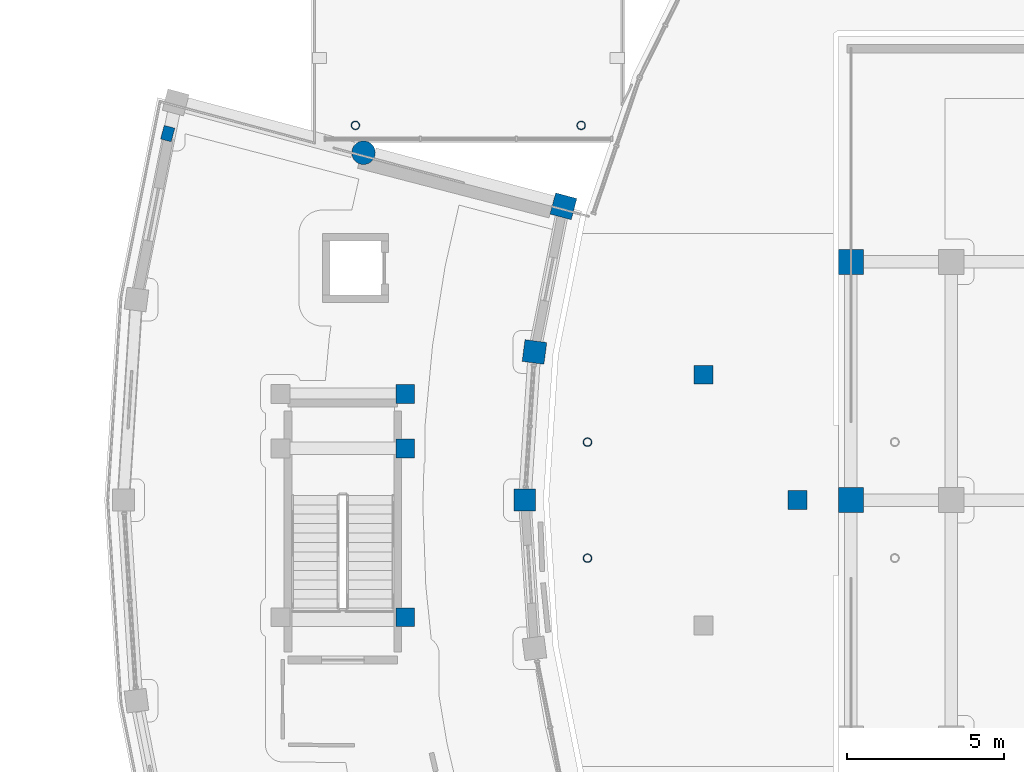
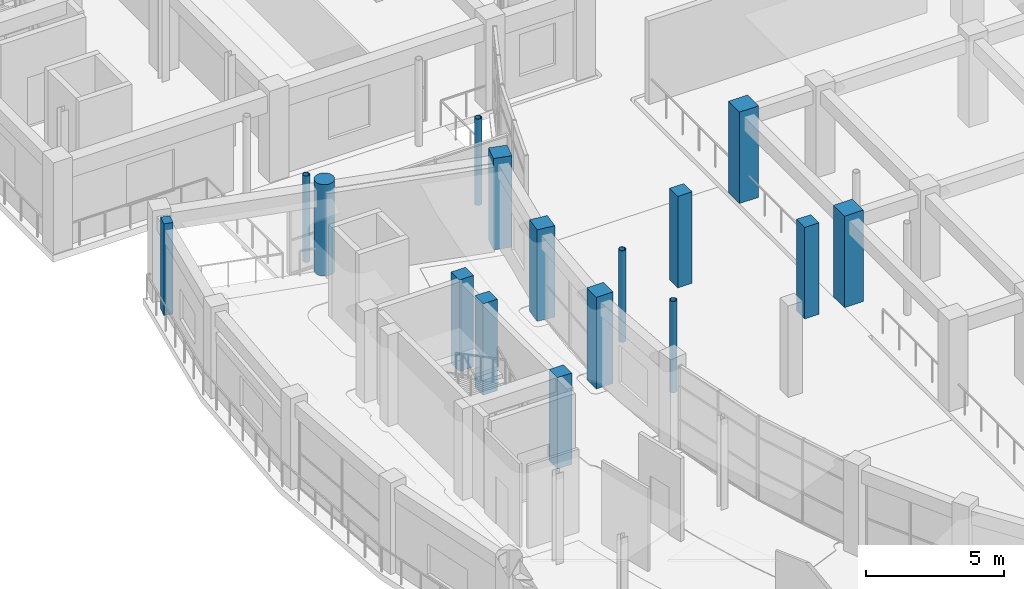
# One storey, part 4 of 87: 16 columns.
"""IFC4 building model written with IfcOpenShell, lengths in metres."""

from ifc_helpers import new_model, si_unit, direction, frame, origin, origin_2d, place, context, subcontext, project, spatial, rectangle, circle, hollow_circle, extrude, material, material_profile, profile_set, type_object, element, save


model = new_model("IFC4")

# Units and contexts
model_context = context("Model", 3, precision=1e-05, world=origin(), true_north=direction((0.0, 1.0)))
body_context = subcontext(model_context, "Body", "Model", "MODEL_VIEW")
ifc_project = project(units=[si_unit("LENGTHUNIT", "METRE"), si_unit("AREAUNIT", "SQUARE_METRE"), si_unit("VOLUMEUNIT", "CUBIC_METRE"), si_unit("PLANEANGLEUNIT", "RADIAN"), si_unit("MASSUNIT", "GRAM", prefix="KILO")], contexts=[model_context])

# Site, building, storey
site_placement = place(None, origin())
site = spatial("IfcSite", under=ifc_project, at=site_placement, CompositionType="ELEMENT")
building_placement = place(site_placement, origin())
building = spatial("IfcBuilding", under=site, at=building_placement, Name="Saryqyr Civic Hall", CompositionType="ELEMENT")
storey_placement = place(building_placement, frame((0.0, 0.0, 5.10009765625)))
storey = spatial("IfcBuildingStorey", under=building, at=storey_placement, Name="L01", CompositionType="ELEMENT", Elevation=5.10009765625)

# Columns
ifc_material_1 = material(Name="Steel S355", Category="steel")
ifc_material_profile_1 = material_profile(ifc_material_1, hollow_circle(Radius=0.136474609375, WallThickness=0.01611328125, at=origin_2d()), Name="CHS 273x16")
ifc_profile_set_1 = profile_set([ifc_material_profile_1], Name="Steel S355")
column_type_1 = type_object("IfcColumnType", Name="STR-COL-CHS273-S355", PredefinedType="COLUMN", material=ifc_profile_set_1)
for number, where, z_axis, x_axis, name in (
    (1, (15.39990234375, 95.949951171875, 0.0), (0.0, 0.0, 1.0), (1.0, 0.0, 0.0), "Column BRCOL-BR-NW-1-L01"),
    (2, (22.60009765625, 95.949951171875, 0.0), (0.0, 0.0, 1.0), (1.0, 0.0, 0.0), "Column BRCOL-BR-NW-2-L01"),
):
    element("IfcColumn", number, at=place(storey_placement, frame(where, z_axis=z_axis, x_axis=x_axis)), inside=storey, type_object=column_type_1, Name=name, PredefinedType="COLUMN", context=body_context, shape_type="SweptSolid", body=[
        extrude(hollow_circle(Radius=0.136474609375, WallThickness=0.01611328125, at=origin_2d()), origin(), (0.0, 0.0, 1.0), 3.81982421875),
    ])
for number, where, z_axis, x_axis, name in (
    (3, (22.800048828125, 82.14990234375, 0.0), (0.0, 0.0, 1.0), (1.0, 0.0, 0.0), "Column BRCOL-BR-CW-1-L01"),
    (4, (22.800048828125, 85.85009765625, 0.0), (0.0, 0.0, 1.0), (1.0, 0.0, 0.0), "Column BRCOL-BR-CW-4-L01"),
):
    element("IfcColumn", number, at=place(storey_placement, frame(where, z_axis=z_axis, x_axis=x_axis)), inside=storey, type_object=column_type_1, Name=name, PredefinedType="COLUMN", context=body_context, shape_type="SweptSolid", body=[
        extrude(hollow_circle(Radius=0.136474609375, WallThickness=0.01611328125, at=origin_2d()), origin(), (0.0, 0.0, 1.0), 4.0498046875),
    ])
ifc_material_2 = material(Name="Concrete C40/50", Category="concrete")
ifc_material_profile_2 = material_profile(ifc_material_2, rectangle(XDim=0.60009765625, YDim=0.60009765625, at=origin_2d()), Name="RC 600x600")
ifc_profile_set_2 = profile_set([ifc_material_profile_2], Name="Concrete C40/50")
column_type_2 = type_object("IfcColumnType", Name="STR-COL-RC600-C40", PredefinedType="COLUMN", material=ifc_profile_set_2)
for number, where, z_axis, x_axis, name in (
    (5, (16.989990234375, 80.264892578125, 0.0), (0.0, 0.0, 1.0), (1.0, 0.0, 0.0), "Column ST-4-SCOL-TRMA-L01"),
    (6, (16.989990234375, 85.64990234375, 0.0), (0.0, 0.0, 1.0), (1.0, 0.0, 0.0), "Column ST-4-SCOL-LND1A-L01"),
    (7, (16.989990234375, 87.3798828125, 0.0), (0.0, 0.0, 1.0), (1.0, 0.0, 0.0), "Column ST-4-SCOL-LND2A-L01"),
    (8, (26.5, 88.0, 0.0), (0.0, 0.0, 1.0), (1.0, 0.0, 0.0), "Column V2-XCOL-02-L01"),
    (9, (29.5, 84.0, 0.0), (0.0, 0.0, 1.0), (1.0, 0.0, 0.0), "Column V2-XCOL-03-L01"),
):
    element("IfcColumn", number, at=place(storey_placement, frame(where, z_axis=z_axis, x_axis=x_axis)), inside=storey, type_object=column_type_2, Name=name, PredefinedType="COLUMN", context=body_context, shape_type="SweptSolid", body=[
        extrude(rectangle(XDim=0.60009765625, YDim=0.60009765625, at=origin_2d()), origin(), (0.0, 0.0, 1.0), 4.0498046875),
    ])
ifc_material_profile_3 = material_profile(ifc_material_2, rectangle(XDim=0.699951171875, YDim=0.699951171875, at=origin_2d()), Name="RC 700x700")
ifc_profile_set_3 = profile_set([ifc_material_profile_3], Name="Concrete C40/50")
column_type_3 = type_object("IfcColumnType", Name="STR-COL-RC700-C40", PredefinedType="COLUMN", material=ifc_profile_set_3)
for number, where, z_axis, x_axis, name in (
    (10, (22.033447265625, 93.369140625, 0.0), (0.0, 0.0, 1.0), (-0.965925826289, 0.258819045103, 0.0), "Column V4-COL-IN00-L01"),
    (11, (21.109619140625, 88.72509765625, 0.0), (0.0, 0.0, 1.0), (-0.991444861374, 0.13052619222, 0.0), "Column V4-COL-IN01-L01"),
    (12, (20.800048828125, 84.0, 0.0), (0.0, 0.0, 1.0), (-1.0, 0.0, 0.0), "Column V4-COL-IN02-L01"),
):
    element("IfcColumn", number, at=place(storey_placement, frame(where, z_axis=z_axis, x_axis=x_axis)), inside=storey, type_object=column_type_3, Name=name, PredefinedType="COLUMN", context=body_context, shape_type="SweptSolid", body=[
        extrude(rectangle(XDim=0.699951171875, YDim=0.699951171875, at=origin_2d()), origin(), (0.0, 0.0, 1.0), 4.0498046875),
    ])
ifc_material_profile_4 = material_profile(ifc_material_2, rectangle(XDim=0.800048828125, YDim=0.800048828125, at=origin_2d()), Name="RC 800x800")
ifc_profile_set_4 = profile_set([ifc_material_profile_4], Name="Concrete C40/50")
column_type_4 = type_object("IfcColumnType", Name="STR-COL-RC800-C40", PredefinedType="COLUMN", material=ifc_profile_set_4)
for number, where, z_axis, x_axis, name in (
    (13, (31.199951171875, 84.0, 0.0), (0.0, 0.0, 1.0), (1.0, 0.0, 0.0), "Column V1-COL-S0P02-L01"),
    (14, (31.199951171875, 91.60009765625, 0.0), (0.0, 0.0, 1.0), (1.0, 0.0, 0.0), "Column V1-COL-S0P03-L01"),
):
    element("IfcColumn", number, at=place(storey_placement, frame(where, z_axis=z_axis, x_axis=x_axis)), inside=storey, type_object=column_type_4, Name=name, PredefinedType="COLUMN", context=body_context, shape_type="SweptSolid", body=[
        extrude(rectangle(XDim=0.800048828125, YDim=0.800048828125, at=origin_2d()), origin(), (0.0, 0.0, 1.0), 4.0498046875),
    ])
ifc_material_profile_5 = material_profile(ifc_material_2, circle(Radius=0.375, at=origin_2d()), Name="RC D750")
ifc_profile_set_5 = profile_set([ifc_material_profile_5], Name="Concrete C40/50")
column_type_5 = type_object("IfcColumnType", Name="STR-COL-RCD750-INT", PredefinedType="COLUMN", material=ifc_profile_set_5)
column_1_placement = place(storey_placement, frame((15.658447265625, 95.077392578125, 0.0), z_axis=(0.0, 0.0, 1.0), x_axis=(-0.965925826289, 0.258819045103, 0.0)))
element("IfcColumn", 15, at=column_1_placement, inside=storey, type_object=column_type_5, Name="Column V4-COL-MID00-L01", PredefinedType="COLUMN", context=body_context, shape_type="SweptSolid", body=[
    extrude(circle(Radius=0.375, at=origin_2d()), origin(), (0.0, 0.0, 1.0), 4.0498046875),
])
ifc_material_3 = material(Name="Concrete C35/45", Category="concrete")
ifc_material_profile_6 = material_profile(ifc_material_3, rectangle(XDim=0.35009765625, YDim=0.449951171875, at=origin_2d()), Name="RC 350x450")
ifc_profile_set_6 = profile_set([ifc_material_profile_6], Name="Concrete C35/45")
column_type_6 = type_object("IfcColumnType", Name="STR-PIL-RC350x450-EXT", PredefinedType="PILASTER", material=ifc_profile_set_6)
column_2_placement = place(storey_placement, frame((9.414306640625, 95.68798828125, 0.0), z_axis=(0.0, 0.0, 1.0), x_axis=(-0.965925826289, 0.258819045103, 0.0)))
element("IfcColumn", 16, at=column_2_placement, inside=storey, type_object=column_type_6, Name="Column V4-PIL-00-L01", PredefinedType="PILASTER", context=body_context, shape_type="SweptSolid", body=[
    extrude(rectangle(XDim=0.35009765625, YDim=0.449951171875, at=origin_2d()), origin(), (0.0, 0.0, 1.0), 4.0498046875),
])

save(model, "model.ifc")
